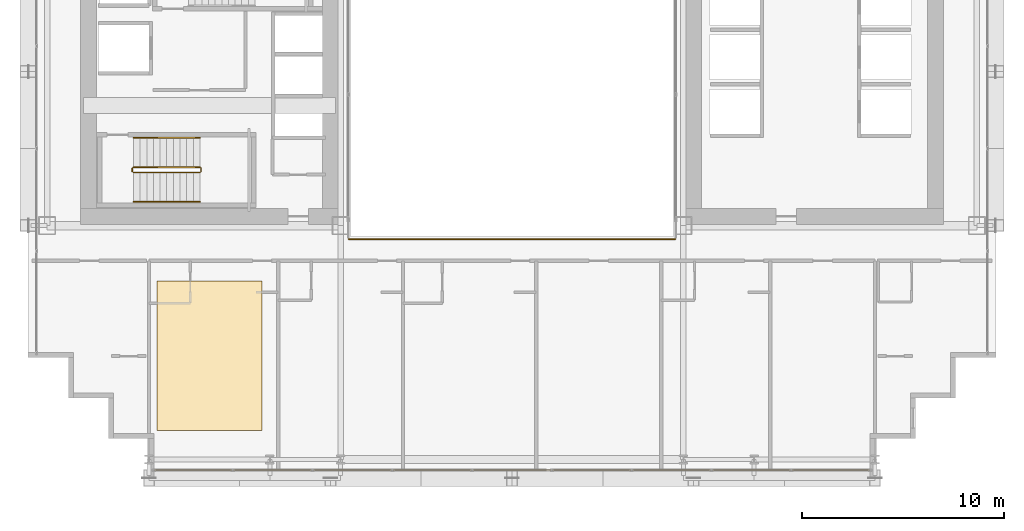
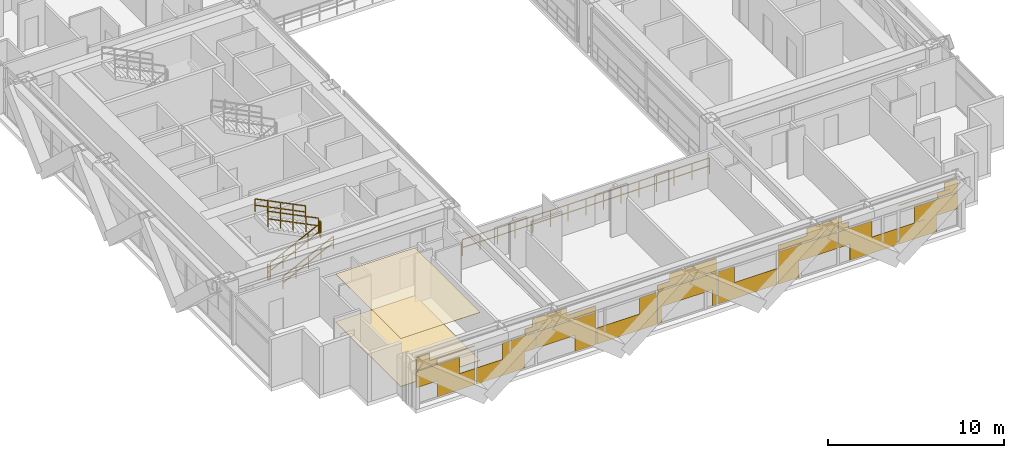
# One storey, part 38 of 41: 7 railings, 3 coverings.
"""IFC4 building model written with IfcOpenShell, lengths in metres."""

import ifcopenshell
import ifcopenshell.guid

model = None  # the IFC model being written
_history = None  # IfcOwnerHistory: only IFC2X3 demands one
_inside = {}  # id of a spatial element -> (the spatial element, [elements in it])
_under = {}  # id of a project, library or spatial element -> (it, [spatial elements below it])
_declared = {}  # id of a project -> (the project, [libraries it declares])
_typed = {}  # id of a type object -> (the type object, [elements of that type])
_made_of = {}  # id of a material, layer set ... -> (it, [elements and type objects made of it])


def new_model(schema):
    """Start an empty IFC model of exactly this schema.

    Asked for "IFC4X3", IfcOpenShell would pick the latest addendum, in which some entities
    have other attributes; the version numbers below select the first issue.
    IFC2X3 requires an IfcOwnerHistory on every rooted entity: one is made here for all.
    """
    global model, _history
    if schema == "IFC4X3":
        model = ifcopenshell.file(schema_version=(4, 3, 0, 0))
    else:
        model = ifcopenshell.file(schema=schema)
    _inside.clear()
    _under.clear()
    _declared.clear()
    _typed.clear()
    _made_of.clear()
    _history = None
    if model.schema == "IFC2X3":
        org = make("IfcOrganization", Name="unknown")
        user = make(
            "IfcPersonAndOrganization",
            ThePerson=make("IfcPerson", FamilyName="unknown"),
            TheOrganization=org,
        )
        app = make(
            "IfcApplication",
            ApplicationDeveloper=org,
            Version="unknown",
            ApplicationFullName="unknown",
            ApplicationIdentifier="unknown",
        )
        _history = make(
            "IfcOwnerHistory",
            OwningUser=user,
            OwningApplication=app,
            ChangeAction="ADDED",
            CreationDate=0,
        )
    return model


def make(cls, **values):
    """One entity of the class cls with the attributes given. An attribute that is None is left unset."""
    return model.create_entity(
        cls, **{name: value for name, value in values.items() if value is not None}
    )


def rooted(cls, **values):
    """An entity with a GlobalId (a new one), such as an element, a storey or a relation."""
    return make(cls, GlobalId=ifcopenshell.guid.new(), OwnerHistory=_history, **values)


def si_unit(unit_type, name, prefix=None):
    """IfcSIUnit, for example si_unit("LENGTHUNIT", "METRE", prefix="MILLI")."""
    return make("IfcSIUnit", UnitType=unit_type, Prefix=prefix, Name=name)


def assignment(units):
    """IfcUnitAssignment: the units of a project."""
    return None if units is None else make("IfcUnitAssignment", Units=units)


def point(xyz):
    """IfcCartesianPoint."""
    return None if xyz is None else make("IfcCartesianPoint", Coordinates=xyz)


def direction(xyz):
    """IfcDirection."""
    return None if xyz is None else make("IfcDirection", DirectionRatios=xyz)


def frame(location, z_axis=None, x_axis=None):
    """IfcAxis2Placement3D, a coordinate frame: its origin and axes. An axis left out is left unset."""
    return make(
        "IfcAxis2Placement3D",
        Location=point(location),
        Axis=direction(z_axis),
        RefDirection=direction(x_axis),
    )


def frame_2d(location, x_axis=None):
    """IfcAxis2Placement2D, a coordinate frame in the plane: its origin and x axis."""
    return make(
        "IfcAxis2Placement2D", Location=point(location), RefDirection=direction(x_axis)
    )


def origin():
    """The frame at (0, 0, 0) with its axes left unset."""
    return frame((0.0, 0.0, 0.0))


def origin_2d():
    """The frame at (0, 0) in the plane with its x axis left unset."""
    return frame_2d((0.0, 0.0))


def place(relative_to, where):
    """IfcLocalPlacement: puts the frame where relative to a parent placement (None: the world)."""
    return make(
        "IfcLocalPlacement", PlacementRelTo=relative_to, RelativePlacement=where
    )


def context(
    kind, dimensions, precision=None, world=None, true_north=None, identifier=None
):
    """IfcGeometricRepresentationContext, for example the 3D "Model" context."""
    return make(
        "IfcGeometricRepresentationContext",
        ContextIdentifier=identifier,
        ContextType=kind,
        CoordinateSpaceDimension=dimensions,
        Precision=precision,
        WorldCoordinateSystem=world,
        TrueNorth=true_north,
    )


def subcontext(parent, identifier, kind, view, scale=None):
    """IfcGeometricRepresentationSubContext, for example "Body" below "Model"."""
    return make(
        "IfcGeometricRepresentationSubContext",
        ContextIdentifier=identifier,
        ContextType=kind,
        ParentContext=parent,
        TargetScale=scale,
        TargetView=view,
    )


def project(units=None, contexts=None):
    """IfcProject with its units and contexts."""
    return rooted(
        "IfcProject",
        Name="project",
        RepresentationContexts=contexts,
        UnitsInContext=assignment(units),
    )


def spatial(cls, under=None, at=None, **own):
    """A site, building, storey or space (cls), placed at a placement, below another one or the project."""
    s = rooted(cls, ObjectPlacement=at, **own)
    if under is not None:
        _under.setdefault(under.id(), (under, []))[1].append(s)
    return s


def polyline(points):
    """IfcPolyline through the points."""
    return make("IfcPolyline", Points=[point(p) for p in points])


def profile(cls, at=None, kind="AREA", **sizes):
    """A parametric profile (cls). Its sizes go by their IFC names, for example OverallWidth=200.0."""
    return make(cls, ProfileType=kind, Position=at, **sizes)


def rectangle(**sizes):
    """IfcRectangleProfileDef."""
    return profile("IfcRectangleProfileDef", **sizes)


def outline(outer, holes=None, kind="AREA"):
    """IfcArbitraryClosedProfileDef: a profile drawn as a closed curve; with holes, ...WithVoids."""
    if holes is None:
        return make("IfcArbitraryClosedProfileDef", ProfileType=kind, OuterCurve=outer)
    return make(
        "IfcArbitraryProfileDefWithVoids",
        ProfileType=kind,
        OuterCurve=outer,
        InnerCurves=holes,
    )


def extrude(swept, where, along, depth):
    """IfcExtrudedAreaSolid: the profile swept, set in the frame where, extruded along a direction by depth."""
    return make(
        "IfcExtrudedAreaSolid",
        SweptArea=swept,
        Position=where,
        ExtrudedDirection=direction(along),
        Depth=depth,
    )


def shape(context_of_items, identifier, shape_type, items):
    """IfcShapeRepresentation: the items that make up one representation, for example the "Body"."""
    return make(
        "IfcShapeRepresentation",
        ContextOfItems=context_of_items,
        RepresentationIdentifier=identifier,
        RepresentationType=shape_type,
        Items=items,
    )


def material(Name=None, Category=None):
    """IfcMaterial."""
    return make("IfcMaterial", Name=Name, Category=Category)


def layer(
    of_material, thickness, ventilated=None, Name=None, Category=None, Priority=None
):
    """IfcMaterialLayer: one layer of a wall or slab, of a material (None: an air gap)."""
    return make(
        "IfcMaterialLayer",
        Material=of_material,
        LayerThickness=thickness,
        IsVentilated=ventilated,
        Name=Name,
        Category=Category,
        Priority=Priority,
    )


def layer_set(layers, Name=None):
    """IfcMaterialLayerSet."""
    return make("IfcMaterialLayerSet", MaterialLayers=layers, LayerSetName=Name)


def made_of(thing, what):
    """Note that an element or type object is made of a material, layer set ...; save() writes the relation."""
    if what is not None:
        _made_of.setdefault(what.id(), (what, []))[1].append(thing)
    return thing


def type_object(cls, material=None, **own):
    """A type object (cls), such as IfcWallType, which elements share."""
    return made_of(rooted(cls, **own), material)


def element(
    cls,
    number,
    at=None,
    inside=None,
    cuts=None,
    type_object=None,
    material=None,
    context=None,
    identifier="Body",
    shape_type=None,
    held_by="IfcProductDefinitionShape",
    body=None,
    shapes=None,
    **own,
):
    """One element of the class cls, such as IfcWall. Its Tag is "e" and its number.

    at: its placement. inside: the storey or other place that contains it. cuts: it is an
    opening in that element (IfcRelVoidsElement). A single representation is given by context,
    identifier, shape_type and body (its items); several are given by shapes. held_by: the class
    of the entity that holds the representations. save() writes the other relations.
    """
    e = rooted(cls, Tag="e%d" % number, ObjectPlacement=at, **own)
    if body is not None:
        shapes = [shape(context, identifier, shape_type, body)]
    if shapes is not None:
        e.Representation = make(held_by, Representations=shapes)
    if inside is not None:
        _inside.setdefault(inside.id(), (inside, []))[1].append(e)
    if cuts is not None:
        rooted(
            "IfcRelVoidsElement", RelatingBuildingElement=cuts, RelatedOpeningElement=e
        )
    if type_object is not None:
        _typed.setdefault(type_object.id(), (type_object, []))[1].append(e)
    return made_of(e, material)


def aggregate(whole, parts):
    """IfcRelAggregates: a whole, such as a stair, and the parts it consists of."""
    return rooted("IfcRelAggregates", RelatingObject=whole, RelatedObjects=parts)


def save(model, path):
    """Write the relations noted so far, then the file.

    IfcRelAggregates (storeys below a building ...), IfcRelContainedInSpatialStructure (elements
    in a storey), IfcRelDefinesByType, IfcRelAssociatesMaterial and IfcRelDeclares: one each for
    every whole, place, type object, material and project.
    """
    for whole, parts in _under.values():
        aggregate(whole, parts)
    for where, things in _inside.values():
        rooted(
            "IfcRelContainedInSpatialStructure",
            RelatedElements=things,
            RelatingStructure=where,
        )
    for kind, things in _typed.values():
        rooted("IfcRelDefinesByType", RelatedObjects=things, RelatingType=kind)
    for what, things in _made_of.values():
        rooted("IfcRelAssociatesMaterial", RelatedObjects=things, RelatingMaterial=what)
    for by, libraries in _declared.values():
        rooted("IfcRelDeclares", RelatingContext=by, RelatedDefinitions=libraries)
    model.write(path)


model = new_model("IFC4")

# Units and contexts
model_context = context("Model", 3, precision=1e-05, world=origin(), true_north=direction((0.0, 1.0)))
body_context = subcontext(model_context, "Body", "Model", "MODEL_VIEW")
ifc_project = project(units=[si_unit("LENGTHUNIT", "METRE"), si_unit("AREAUNIT", "SQUARE_METRE"), si_unit("VOLUMEUNIT", "CUBIC_METRE"), si_unit("PLANEANGLEUNIT", "RADIAN"), si_unit("MASSUNIT", "GRAM", prefix="KILO")], contexts=[model_context])

# Site, building, storey
site_placement = place(None, origin())
site = spatial("IfcSite", under=ifc_project, at=site_placement, CompositionType="ELEMENT")
building_placement = place(site_placement, origin())
building = spatial("IfcBuilding", under=site, at=building_placement, Name="Ocotamira Hotel", CompositionType="ELEMENT")
storey_placement = place(building_placement, frame((0.0, 0.0, 52.800048828125)))
storey = spatial("IfcBuildingStorey", under=building, at=storey_placement, Name="L12", CompositionType="ELEMENT", Elevation=52.800048828125)

# Coverings
ifc_material_1 = material(Name="Perforated acoustic gypsum ceiling board", Category="gypsum")
ifc_layer_1 = layer(ifc_material_1, 0.02490234375)
ifc_layer_set_1 = layer_set([ifc_layer_1], Name="Perforated acoustic gypsum ceiling board")
covering_type_1 = type_object("IfcCoveringType", Name="COV-CEIL-25", PredefinedType="CEILING", material=ifc_layer_set_1)
covering_1_placement = place(storey_placement, frame((0.0, 0.0, 3.324951171875)))
element("IfcCovering", 1, at=covering_1_placement, inside=storey, type_object=covering_type_1, Name="L12 Acoustic Ceiling", PredefinedType="CEILING", context=body_context, shape_type="SweptSolid", body=[
    extrude(outline(polyline([(14.39990234375, 4.39990234375), (19.60009765625, 4.39990234375), (19.60009765625, 11.800048828125), (14.39990234375, 11.800048828125), (14.39990234375, 4.39990234375)])), origin(), (0.0, 0.0, 1.0), 0.02490234375),
])
ifc_material_2 = material(Name="Honed desert travertine stone flooring", Category="masonry")
ifc_layer_2 = layer(ifc_material_2, 0.030029296875)
ifc_layer_set_2 = layer_set([ifc_layer_2], Name="Honed desert travertine stone flooring")
covering_type_2 = type_object("IfcCoveringType", Name="COV-FLOR-30", PredefinedType="FLOORING", material=ifc_layer_set_2)
covering_2_placement = place(storey_placement, origin())
element("IfcCovering", 2, at=covering_2_placement, inside=storey, type_object=covering_type_2, Name="L12 Honed Stone Floor Finish", PredefinedType="FLOORING", context=body_context, shape_type="SweptSolid", body=[
    extrude(outline(polyline([(14.39990234375, 4.39990234375), (19.60009765625, 4.39990234375), (19.60009765625, 11.800048828125), (14.39990234375, 11.800048828125), (14.39990234375, 4.39990234375)])), origin(), (0.0, 0.0, 1.0), 0.030029296875),
])
ifc_material_3 = material(Name="Insulated pale-metal aluminium spandrel panel", Category="aluminium")
ifc_layer_3 = layer(ifc_material_3, 0.044921875)
ifc_layer_set_3 = layer_set([ifc_layer_3], Name="Insulated pale-metal aluminium spandrel panel")
covering_type_3 = type_object("IfcCoveringType", Name="COV-INFILL-45", PredefinedType="CLADDING", material=ifc_layer_set_3)
covering_3_placement = place(storey_placement, origin())
element("IfcCovering", 3, at=covering_3_placement, inside=storey, type_object=covering_type_3, Name="L12 Curtain Wall Infill CW-2 CW-L12-S1", PredefinedType="CLADDING", context=body_context, shape_type="SweptSolid", body=[
    extrude(rectangle(XDim=2.822265625, YDim=0.044921875, at=origin_2d()), frame((15.691650390625, 2.419921875, 1.194091796875), z_axis=(0.0, 0.0, 1.0), x_axis=(1.0, 0.0, 0.0)), (0.0, 0.0, 1.0), 1.11767578125),
    extrude(rectangle(XDim=2.4521484375, YDim=0.044921875, at=origin_2d()), frame((16.888916015625, 2.419921875, 0.075439453125), z_axis=(0.0, 0.0, 1.0), x_axis=(1.0, 0.0, 0.0)), (0.0, 0.0, 1.0), 1.11767578125),
    extrude(rectangle(XDim=1.330078125, YDim=0.044921875, at=origin_2d()), frame((14.945556640625, 2.419921875, 2.3876953125), z_axis=(0.0, 0.0, 1.0), x_axis=(1.0, 0.0, 0.0)), (0.0, 0.0, 1.0), 0.344482421875),
    extrude(rectangle(XDim=3.834716796875, YDim=0.044921875, at=origin_2d()), frame((16.19775390625, 2.419921875, 2.7333984375), z_axis=(0.0, 0.0, 1.0), x_axis=(1.0, 0.0, 0.0)), (0.0, 0.0, 1.0), 0.0302734375),
    extrude(rectangle(XDim=0.859130859375, YDim=0.044921875, at=origin_2d()), frame((14.7099609375, 2.419921875, 2.7646484375), z_axis=(0.0, 0.0, 1.0), x_axis=(1.0, 0.0, 0.0)), (0.0, 0.0, 1.0), 0.509765625),
    extrude(rectangle(XDim=3.14111328125, YDim=0.044921875, at=origin_2d()), frame((19.7666015625, 2.419921875, 0.075439453125), z_axis=(0.0, 0.0, 1.0), x_axis=(1.0, 0.0, 0.0)), (0.0, 0.0, 1.0), 1.11767578125),
    extrude(rectangle(XDim=2.17333984375, YDim=0.044921875, at=origin_2d()), frame((20.98388671875, 2.419921875, 1.194091796875), z_axis=(0.0, 0.0, 1.0), x_axis=(1.0, 0.0, 0.0)), (0.0, 0.0, 1.0), 1.11767578125),
    extrude(rectangle(XDim=0.68115234375, YDim=0.044921875, at=origin_2d()), frame((21.72998046875, 2.419921875, 2.38818359375), z_axis=(0.0, 0.0, 1.0), x_axis=(1.0, 0.0, 0.0)), (0.0, 0.0, 1.0), 0.375732421875),
    extrude(rectangle(XDim=0.210205078125, YDim=0.044921875, at=origin_2d()), frame((21.965576171875, 2.419921875, 2.7646484375), z_axis=(0.0, 0.0, 1.0), x_axis=(1.0, 0.0, 0.0)), (0.0, 0.0, 1.0), 0.509765625),
    extrude(rectangle(XDim=3.87451171875, YDim=0.044921875, at=origin_2d()), frame((24.0888671875, 2.419921875, 1.194091796875), z_axis=(0.0, 0.0, 1.0), x_axis=(1.0, 0.0, 0.0)), (0.0, 0.0, 1.0), 1.11767578125),
    extrude(rectangle(XDim=1.36328125, YDim=0.044921875, at=origin_2d()), frame((25.344482421875, 2.419921875, 0.075439453125), z_axis=(0.0, 0.0, 1.0), x_axis=(1.0, 0.0, 0.0)), (0.0, 0.0, 1.0), 1.11767578125),
    extrude(rectangle(XDim=3.87451171875, YDim=0.044921875, at=origin_2d()), frame((24.0888671875, 2.419921875, 2.38818359375), z_axis=(0.0, 0.0, 1.0), x_axis=(1.0, 0.0, 0.0)), (0.0, 0.0, 1.0), 0.375732421875),
    extrude(rectangle(XDim=1.988037109375, YDim=0.044921875, at=origin_2d()), frame((23.1455078125, 2.419921875, 2.7646484375), z_axis=(0.0, 0.0, 1.0), x_axis=(1.0, 0.0, 0.0)), (0.0, 0.0, 1.0), 0.509765625),
    extrude(rectangle(XDim=3.87451171875, YDim=0.044921875, at=origin_2d()), frame((28.04443359375, 2.419921875, 0.075439453125), z_axis=(0.0, 0.0, 1.0), x_axis=(1.0, 0.0, 0.0)), (0.0, 0.0, 1.0), 1.11767578125),
    extrude(rectangle(XDim=1.08447265625, YDim=0.044921875, at=origin_2d()), frame((29.439453125, 2.419921875, 1.194091796875), z_axis=(0.0, 0.0, 1.0), x_axis=(1.0, 0.0, 0.0)), (0.0, 0.0, 1.0), 1.11767578125),
    extrude(rectangle(XDim=0.2744140625, YDim=0.044921875, at=origin_2d()), frame((30.199951171875, 2.419921875, 0.075439453125), z_axis=(0.0, 0.0, 1.0), x_axis=(1.0, 0.0, 0.0)), (0.0, 0.0, 1.0), 1.11767578125),
    extrude(rectangle(XDim=3.87451171875, YDim=0.044921875, at=origin_2d()), frame((32.0, 2.419921875, 1.194091796875), z_axis=(0.0, 0.0, 1.0), x_axis=(1.0, 0.0, 0.0)), (0.0, 0.0, 1.0), 1.11767578125),
    extrude(rectangle(XDim=0.2744140625, YDim=0.044921875, at=origin_2d()), frame((33.800048828125, 2.419921875, 0.075439453125), z_axis=(0.0, 0.0, 1.0), x_axis=(1.0, 0.0, 0.0)), (0.0, 0.0, 1.0), 1.11767578125),
    extrude(rectangle(XDim=3.87451171875, YDim=0.044921875, at=origin_2d()), frame((32.0, 2.419921875, 2.38818359375), z_axis=(0.0, 0.0, 1.0), x_axis=(1.0, 0.0, 0.0)), (0.0, 0.0, 1.0), 0.375732421875),
    extrude(rectangle(XDim=3.076904296875, YDim=0.044921875, at=origin_2d()), frame((32.39892578125, 2.419921875, 2.7646484375), z_axis=(0.0, 0.0, 1.0), x_axis=(1.0, 0.0, 0.0)), (0.0, 0.0, 1.0), 0.509765625),
    extrude(rectangle(XDim=3.87451171875, YDim=0.044921875, at=origin_2d()), frame((35.95556640625, 2.419921875, 0.075439453125), z_axis=(0.0, 0.0, 1.0), x_axis=(1.0, 0.0, 0.0)), (0.0, 0.0, 1.0), 1.11767578125),
    extrude(rectangle(XDim=1.08447265625, YDim=0.044921875, at=origin_2d()), frame((34.560546875, 2.419921875, 1.194091796875), z_axis=(0.0, 0.0, 1.0), x_axis=(1.0, 0.0, 0.0)), (0.0, 0.0, 1.0), 1.11767578125),
    extrude(rectangle(XDim=1.36328125, YDim=0.044921875, at=origin_2d()), frame((38.655517578125, 2.419921875, 0.075439453125), z_axis=(0.0, 0.0, 1.0), x_axis=(1.0, 0.0, 0.0)), (0.0, 0.0, 1.0), 1.11767578125),
    extrude(rectangle(XDim=3.87451171875, YDim=0.044921875, at=origin_2d()), frame((39.9111328125, 2.419921875, 1.194091796875), z_axis=(0.0, 0.0, 1.0), x_axis=(1.0, 0.0, 0.0)), (0.0, 0.0, 1.0), 1.11767578125),
    extrude(rectangle(XDim=3.87451171875, YDim=0.044921875, at=origin_2d()), frame((39.9111328125, 2.419921875, 2.38818359375), z_axis=(0.0, 0.0, 1.0), x_axis=(1.0, 0.0, 0.0)), (0.0, 0.0, 1.0), 0.375732421875),
    extrude(rectangle(XDim=1.988037109375, YDim=0.044921875, at=origin_2d()), frame((40.8544921875, 2.419921875, 2.7646484375), z_axis=(0.0, 0.0, 1.0), x_axis=(1.0, 0.0, 0.0)), (0.0, 0.0, 1.0), 0.509765625),
    extrude(rectangle(XDim=2.17333984375, YDim=0.044921875, at=origin_2d()), frame((43.01611328125, 2.419921875, 1.194091796875), z_axis=(0.0, 0.0, 1.0), x_axis=(1.0, 0.0, 0.0)), (0.0, 0.0, 1.0), 1.11767578125),
    extrude(rectangle(XDim=3.14111328125, YDim=0.044921875, at=origin_2d()), frame((44.2333984375, 2.419921875, 0.075439453125), z_axis=(0.0, 0.0, 1.0), x_axis=(1.0, 0.0, 0.0)), (0.0, 0.0, 1.0), 1.11767578125),
    extrude(rectangle(XDim=0.68115234375, YDim=0.044921875, at=origin_2d()), frame((42.27001953125, 2.419921875, 2.38818359375), z_axis=(0.0, 0.0, 1.0), x_axis=(1.0, 0.0, 0.0)), (0.0, 0.0, 1.0), 0.375732421875),
    extrude(rectangle(XDim=0.210205078125, YDim=0.044921875, at=origin_2d()), frame((42.034423828125, 2.419921875, 2.7646484375), z_axis=(0.0, 0.0, 1.0), x_axis=(1.0, 0.0, 0.0)), (0.0, 0.0, 1.0), 0.509765625),
    extrude(rectangle(XDim=2.4521484375, YDim=0.044921875, at=origin_2d()), frame((47.111083984375, 2.419921875, 0.075439453125), z_axis=(0.0, 0.0, 1.0), x_axis=(1.0, 0.0, 0.0)), (0.0, 0.0, 1.0), 1.11767578125),
    extrude(rectangle(XDim=2.822265625, YDim=0.044921875, at=origin_2d()), frame((48.308349609375, 2.419921875, 1.194091796875), z_axis=(0.0, 0.0, 1.0), x_axis=(1.0, 0.0, 0.0)), (0.0, 0.0, 1.0), 1.11767578125),
    extrude(rectangle(XDim=3.834716796875, YDim=0.044921875, at=origin_2d()), frame((47.80224609375, 2.419921875, 2.7333984375), z_axis=(0.0, 0.0, 1.0), x_axis=(1.0, 0.0, 0.0)), (0.0, 0.0, 1.0), 0.0302734375),
    extrude(rectangle(XDim=1.330078125, YDim=0.044921875, at=origin_2d()), frame((49.054443359375, 2.419921875, 2.3876953125), z_axis=(0.0, 0.0, 1.0), x_axis=(1.0, 0.0, 0.0)), (0.0, 0.0, 1.0), 0.344482421875),
    extrude(rectangle(XDim=0.859130859375, YDim=0.044921875, at=origin_2d()), frame((49.2900390625, 2.419921875, 2.7646484375), z_axis=(0.0, 0.0, 1.0), x_axis=(1.0, 0.0, 0.0)), (0.0, 0.0, 1.0), 0.509765625),
])

# Railings
ifc_material_4 = material(Name="Painted steel stair guardrail", Category="steel")
railing_type_1 = type_object("IfcRailingType", Name="RL-EDGE-1150", PredefinedType="GUARDRAIL", material=ifc_material_4)
railing_1_placement = place(storey_placement, frame((23.89990234375, 13.8798828125, 0.0)))
element("IfcRailing", 4, at=railing_1_placement, inside=storey, type_object=railing_type_1, Name="L12 Central Atrium Edge Guardrail S", PredefinedType="GUARDRAIL", context=body_context, shape_type="SweptSolid", body=[
    extrude(rectangle(XDim=0.048095703125, YDim=0.048095703125, at=origin_2d()), frame((0.0, 0.0, 1.1259765625), z_axis=(1.0, 0.0, 0.0), x_axis=(0.0, 1.0, 0.0)), (0.0, 0.0, 1.0), 16.2001953125),
    extrude(rectangle(XDim=0.048095703125, YDim=0.048095703125, at=origin_2d()), frame((0.0, 0.0, 0.574951171875), z_axis=(1.0, 0.0, 0.0), x_axis=(0.0, 1.0, 0.0)), (0.0, 0.0, 1.0), 16.2001953125),
    extrude(rectangle(XDim=0.0419921875, YDim=0.0419921875, at=origin_2d()), origin(), (0.0, 0.0, 1.0), 1.101806640625),
    extrude(rectangle(XDim=0.0419921875, YDim=0.0419921875, at=origin_2d()), frame((1.1572265625, 0.0, 0.0)), (0.0, 0.0, 1.0), 1.101806640625),
    extrude(rectangle(XDim=0.0419921875, YDim=0.0419921875, at=origin_2d()), frame((2.314208984375, 0.0, 0.0)), (0.0, 0.0, 1.0), 1.101806640625),
    extrude(rectangle(XDim=0.0419921875, YDim=0.0419921875, at=origin_2d()), frame((3.471435546875, 0.0, 0.0)), (0.0, 0.0, 1.0), 1.101806640625),
    extrude(rectangle(XDim=0.0419921875, YDim=0.0419921875, at=origin_2d()), frame((4.628662109375, 0.0, 0.0)), (0.0, 0.0, 1.0), 1.101806640625),
    extrude(rectangle(XDim=0.0419921875, YDim=0.0419921875, at=origin_2d()), frame((5.785888671875, 0.0, 0.0)), (0.0, 0.0, 1.0), 1.101806640625),
    extrude(rectangle(XDim=0.0419921875, YDim=0.0419921875, at=origin_2d()), frame((6.94287109375, 0.0, 0.0)), (0.0, 0.0, 1.0), 1.101806640625),
    extrude(rectangle(XDim=0.0419921875, YDim=0.0419921875, at=origin_2d()), frame((8.10009765625, 0.0, 0.0)), (0.0, 0.0, 1.0), 1.101806640625),
    extrude(rectangle(XDim=0.0419921875, YDim=0.0419921875, at=origin_2d()), frame((9.25732421875, 0.0, 0.0)), (0.0, 0.0, 1.0), 1.101806640625),
    extrude(rectangle(XDim=0.0419921875, YDim=0.0419921875, at=origin_2d()), frame((10.414306640625, 0.0, 0.0)), (0.0, 0.0, 1.0), 1.101806640625),
    extrude(rectangle(XDim=0.0419921875, YDim=0.0419921875, at=origin_2d()), frame((11.571533203125, 0.0, 0.0)), (0.0, 0.0, 1.0), 1.101806640625),
    extrude(rectangle(XDim=0.0419921875, YDim=0.0419921875, at=origin_2d()), frame((12.728759765625, 0.0, 0.0)), (0.0, 0.0, 1.0), 1.101806640625),
    extrude(rectangle(XDim=0.0419921875, YDim=0.0419921875, at=origin_2d()), frame((13.885986328125, 0.0, 0.0)), (0.0, 0.0, 1.0), 1.101806640625),
    extrude(rectangle(XDim=0.0419921875, YDim=0.0419921875, at=origin_2d()), frame((15.04296875, 0.0, 0.0)), (0.0, 0.0, 1.0), 1.101806640625),
    extrude(rectangle(XDim=0.0419921875, YDim=0.0419921875, at=origin_2d()), frame((16.2001953125, 0.0, 0.0)), (0.0, 0.0, 1.0), 1.101806640625),
])
ifc_material_5 = material(Name="Brushed stainless steel handrail", Category="steel")
railing_type_2 = type_object("IfcRailingType", Name="RL-HAND-900", PredefinedType="HANDRAIL", material=ifc_material_5)
railing_2_placement = place(storey_placement, frame((13.22998046875, 15.719970703125, 0.3271484375)))
element("IfcRailing", 5, at=railing_2_placement, inside=storey, type_object=railing_type_2, Name="L12 ST-1 stair handrail 1", PredefinedType="HANDRAIL", context=body_context, shape_type="SweptSolid", body=[
    extrude(rectangle(XDim=0.048095703125, YDim=0.048095703125, at=origin_2d()), frame((0.0, 0.0, 0.8759765625), z_axis=(0.895893744519, 0.0, 0.4442683857), x_axis=(0.0, 1.0, 0.0)), (0.0, 0.0, 1.0), 3.68359375),
    extrude(rectangle(XDim=0.048095703125, YDim=0.048095703125, at=origin_2d()), frame((0.0, 0.0, 0.449951171875), z_axis=(0.895893744519, 0.0, 0.4442683857), x_axis=(0.0, 1.0, 0.0)), (0.0, 0.0, 1.0), 3.68359375),
    extrude(rectangle(XDim=0.0419921875, YDim=0.0419921875, at=origin_2d()), origin(), (0.0, 0.0, 1.0), 0.851806640625),
    extrude(rectangle(XDim=0.0419921875, YDim=0.0419921875, at=origin_2d()), frame((0.824951171875, 0.0, 0.4091796875)), (0.0, 0.0, 1.0), 0.851806640625),
    extrude(rectangle(XDim=0.0419921875, YDim=0.0419921875, at=origin_2d()), frame((1.64990234375, 0.0, 0.818359375)), (0.0, 0.0, 1.0), 0.851806640625),
    extrude(rectangle(XDim=0.0419921875, YDim=0.0419921875, at=origin_2d()), frame((2.47509765625, 0.0, 1.227294921875)), (0.0, 0.0, 1.0), 0.851806640625),
    extrude(rectangle(XDim=0.0419921875, YDim=0.0419921875, at=origin_2d()), frame((3.300048828125, 0.0, 1.636474609375)), (0.0, 0.0, 1.0), 0.851806640625),
])
railing_3_placement = place(storey_placement, frame((16.530029296875, 18.89990234375, 2.127197265625)))
element("IfcRailing", 6, at=railing_3_placement, inside=storey, type_object=railing_type_2, Name="L12 ST-1 stair handrail 2", PredefinedType="HANDRAIL", context=body_context, shape_type="SweptSolid", body=[
    extrude(rectangle(XDim=0.048095703125, YDim=0.048095703125, at=origin_2d()), frame((0.0, 0.0, 0.8759765625), z_axis=(-0.895893744519, 0.0, 0.4442683857), x_axis=(0.0, -1.0, 0.0)), (0.0, 0.0, 1.0), 3.68359375),
    extrude(rectangle(XDim=0.048095703125, YDim=0.048095703125, at=origin_2d()), frame((0.0, 0.0, 0.449951171875), z_axis=(-0.895893744519, 0.0, 0.4442683857), x_axis=(0.0, -1.0, 0.0)), (0.0, 0.0, 1.0), 3.68359375),
    extrude(rectangle(XDim=0.0419921875, YDim=0.0419921875, at=origin_2d()), origin(), (0.0, 0.0, 1.0), 0.851806640625),
    extrude(rectangle(XDim=0.0419921875, YDim=0.0419921875, at=origin_2d()), frame((-0.824951171875, 0.0, 0.4091796875)), (0.0, 0.0, 1.0), 0.851806640625),
    extrude(rectangle(XDim=0.0419921875, YDim=0.0419921875, at=origin_2d()), frame((-1.64990234375, 0.0, 0.818359375)), (0.0, 0.0, 1.0), 0.851806640625),
    extrude(rectangle(XDim=0.0419921875, YDim=0.0419921875, at=origin_2d()), frame((-2.47509765625, 0.0, 1.227294921875)), (0.0, 0.0, 1.0), 0.851806640625),
    extrude(rectangle(XDim=0.0419921875, YDim=0.0419921875, at=origin_2d()), frame((-3.300048828125, 0.0, 1.636474609375)), (0.0, 0.0, 1.0), 0.851806640625),
])
railing_type_3 = type_object("IfcRailingType", Name="RL-STAIR-1100", PredefinedType="GUARDRAIL", material=ifc_material_4)
railing_4_placement = place(storey_placement, frame((13.22998046875, 17.179931640625, 0.16357421875)))
element("IfcRailing", 7, at=railing_4_placement, inside=storey, type_object=railing_type_3, Name="L12 ST-1 stair guard 1", PredefinedType="GUARDRAIL", context=body_context, shape_type="SweptSolid", body=[
    extrude(rectangle(XDim=0.048095703125, YDim=0.048095703125, at=origin_2d()), frame((0.0, 0.0, 1.076171875), z_axis=(0.895893744519, 0.0, 0.4442683857), x_axis=(0.0, 1.0, 0.0)), (0.0, 0.0, 1.0), 3.68359375),
    extrude(rectangle(XDim=0.048095703125, YDim=0.048095703125, at=origin_2d()), frame((0.0, 0.0, 0.550048828125), z_axis=(0.895893744519, 0.0, 0.4442683857), x_axis=(0.0, 1.0, 0.0)), (0.0, 0.0, 1.0), 3.68359375),
    extrude(rectangle(XDim=0.0419921875, YDim=0.0419921875, at=origin_2d()), origin(), (0.0, 0.0, 1.0), 1.052001953125),
    extrude(rectangle(XDim=0.0419921875, YDim=0.0419921875, at=origin_2d()), frame((0.824951171875, 0.0, 0.4091796875)), (0.0, 0.0, 1.0), 1.052001953125),
    extrude(rectangle(XDim=0.0419921875, YDim=0.0419921875, at=origin_2d()), frame((1.64990234375, 0.0, 0.818359375)), (0.0, 0.0, 1.0), 1.052001953125),
    extrude(rectangle(XDim=0.0419921875, YDim=0.0419921875, at=origin_2d()), frame((2.47509765625, 0.0, 1.227294921875)), (0.0, 0.0, 1.0), 1.052001953125),
    extrude(rectangle(XDim=0.0419921875, YDim=0.0419921875, at=origin_2d()), frame((3.300048828125, 0.0, 1.636474609375)), (0.0, 0.0, 1.0), 1.052001953125),
])
railing_5_placement = place(storey_placement, frame((16.580078125, 17.22998046875, 1.800048828125)))
element("IfcRailing", 8, at=railing_5_placement, inside=storey, type_object=railing_type_3, Name="L12 ST-1 stair guard 2", PredefinedType="GUARDRAIL", context=body_context, shape_type="SweptSolid", body=[
    extrude(rectangle(XDim=0.048095703125, YDim=0.048095703125, at=origin_2d()), frame((0.0, 0.0, 1.076171875), z_axis=(0.0, 1.0, 0.0), x_axis=(-1.0, 0.0, 0.0)), (0.0, 0.0, 1.0), 0.159912109375),
    extrude(rectangle(XDim=0.048095703125, YDim=0.048095703125, at=origin_2d()), frame((0.0, 0.0, 0.550048828125), z_axis=(0.0, 1.0, 0.0), x_axis=(-1.0, 0.0, 0.0)), (0.0, 0.0, 1.0), 0.159912109375),
    extrude(rectangle(XDim=0.0419921875, YDim=0.0419921875, at=origin_2d()), origin(), (0.0, 0.0, 1.0), 1.052001953125),
    extrude(rectangle(XDim=0.0419921875, YDim=0.0419921875, at=origin_2d()), frame((0.0, 0.159912109375, 0.0)), (0.0, 0.0, 1.0), 1.052001953125),
])
railing_6_placement = place(storey_placement, frame((16.530029296875, 17.43994140625, 1.963623046875)))
element("IfcRailing", 9, at=railing_6_placement, inside=storey, type_object=railing_type_3, Name="L12 ST-1 stair guard 3", PredefinedType="GUARDRAIL", context=body_context, shape_type="SweptSolid", body=[
    extrude(rectangle(XDim=0.048095703125, YDim=0.048095703125, at=origin_2d()), frame((0.0, 0.0, 1.076171875), z_axis=(-0.895920123917, 0.0, 0.444215186098), x_axis=(0.0, -1.0, 0.0)), (0.0, 0.0, 1.0), 3.683349609375),
    extrude(rectangle(XDim=0.048095703125, YDim=0.048095703125, at=origin_2d()), frame((0.0, 0.0, 0.550048828125), z_axis=(-0.895920123917, 0.0, 0.444215186098), x_axis=(0.0, -1.0, 0.0)), (0.0, 0.0, 1.0), 3.683349609375),
    extrude(rectangle(XDim=0.0419921875, YDim=0.0419921875, at=origin_2d()), origin(), (0.0, 0.0, 1.0), 1.052001953125),
    extrude(rectangle(XDim=0.0419921875, YDim=0.0419921875, at=origin_2d()), frame((-0.824951171875, 0.0, 0.4091796875)), (0.0, 0.0, 1.0), 1.052001953125),
    extrude(rectangle(XDim=0.0419921875, YDim=0.0419921875, at=origin_2d()), frame((-1.64990234375, 0.0, 0.818115234375)), (0.0, 0.0, 1.0), 1.052001953125),
    extrude(rectangle(XDim=0.0419921875, YDim=0.0419921875, at=origin_2d()), frame((-2.47509765625, 0.0, 1.22705078125)), (0.0, 0.0, 1.0), 1.052001953125),
    extrude(rectangle(XDim=0.0419921875, YDim=0.0419921875, at=origin_2d()), frame((-3.300048828125, 0.0, 1.63623046875)), (0.0, 0.0, 1.0), 1.052001953125),
])
railing_7_placement = place(storey_placement, frame((13.179931640625, 17.22998046875, 0.0)))
element("IfcRailing", 10, at=railing_7_placement, inside=storey, type_object=railing_type_3, Name="L12 ST-1 stair guard 4", PredefinedType="GUARDRAIL", context=body_context, shape_type="SweptSolid", body=[
    extrude(rectangle(XDim=0.048095703125, YDim=0.048095703125, at=origin_2d()), frame((0.0, 0.0, 1.076171875), z_axis=(0.0, 1.0, 0.0), x_axis=(-1.0, 0.0, 0.0)), (0.0, 0.0, 1.0), 0.159912109375),
    extrude(rectangle(XDim=0.048095703125, YDim=0.048095703125, at=origin_2d()), frame((0.0, 0.0, 0.550048828125), z_axis=(0.0, 1.0, 0.0), x_axis=(-1.0, 0.0, 0.0)), (0.0, 0.0, 1.0), 0.159912109375),
    extrude(rectangle(XDim=0.0419921875, YDim=0.0419921875, at=origin_2d()), origin(), (0.0, 0.0, 1.0), 1.052001953125),
    extrude(rectangle(XDim=0.0419921875, YDim=0.0419921875, at=origin_2d()), frame((0.0, 0.159912109375, 0.0)), (0.0, 0.0, 1.0), 1.052001953125),
])

save(model, "model.ifc")
